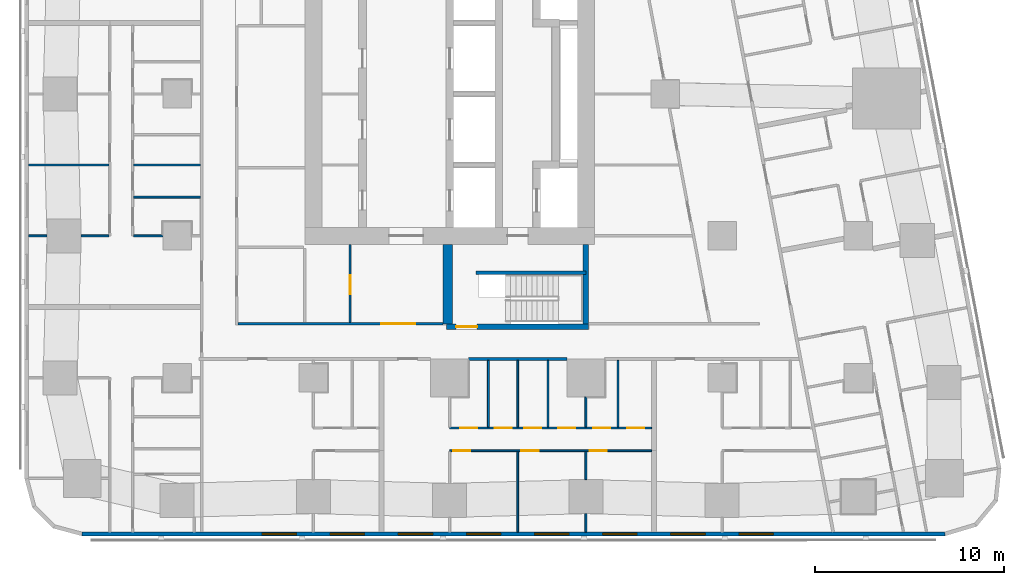
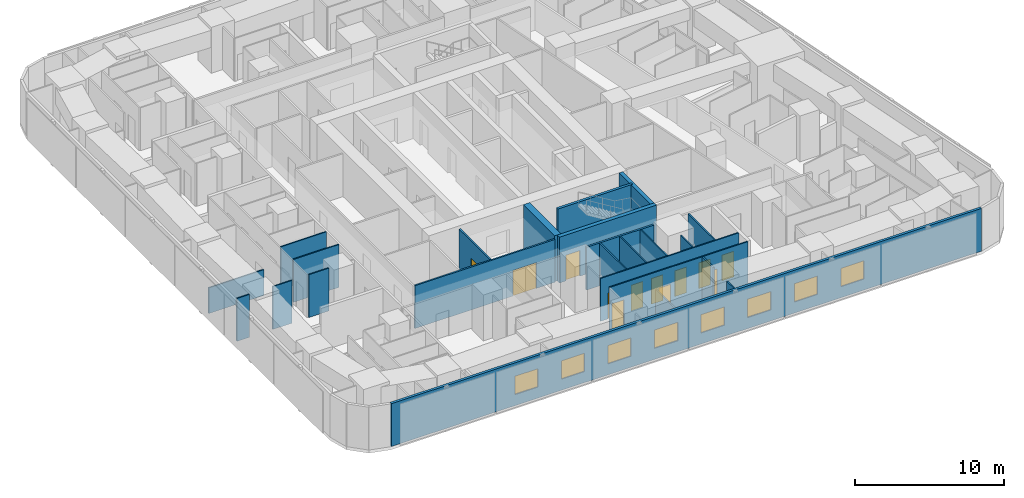
# One storey, part 3 of 14: 24 walls, 12 doors, 8 windows, 20 openings.
"""IFC4 building model written with IfcOpenShell, lengths in metres."""

import ifcopenshell
import ifcopenshell.guid

model = None  # the IFC model being written
_history = None  # IfcOwnerHistory: only IFC2X3 demands one
_inside = {}  # id of a spatial element -> (the spatial element, [elements in it])
_under = {}  # id of a project, library or spatial element -> (it, [spatial elements below it])
_declared = {}  # id of a project -> (the project, [libraries it declares])
_typed = {}  # id of a type object -> (the type object, [elements of that type])
_made_of = {}  # id of a material, layer set ... -> (it, [elements and type objects made of it])


def new_model(schema):
    """Start an empty IFC model of exactly this schema.

    Asked for "IFC4X3", IfcOpenShell would pick the latest addendum, in which some entities
    have other attributes; the version numbers below select the first issue.
    IFC2X3 requires an IfcOwnerHistory on every rooted entity: one is made here for all.
    """
    global model, _history
    if schema == "IFC4X3":
        model = ifcopenshell.file(schema_version=(4, 3, 0, 0))
    else:
        model = ifcopenshell.file(schema=schema)
    _inside.clear()
    _under.clear()
    _declared.clear()
    _typed.clear()
    _made_of.clear()
    _history = None
    if model.schema == "IFC2X3":
        org = make("IfcOrganization", Name="unknown")
        user = make(
            "IfcPersonAndOrganization",
            ThePerson=make("IfcPerson", FamilyName="unknown"),
            TheOrganization=org,
        )
        app = make(
            "IfcApplication",
            ApplicationDeveloper=org,
            Version="unknown",
            ApplicationFullName="unknown",
            ApplicationIdentifier="unknown",
        )
        _history = make(
            "IfcOwnerHistory",
            OwningUser=user,
            OwningApplication=app,
            ChangeAction="ADDED",
            CreationDate=0,
        )
    return model


def make(cls, **values):
    """One entity of the class cls with the attributes given. An attribute that is None is left unset."""
    return model.create_entity(
        cls, **{name: value for name, value in values.items() if value is not None}
    )


def rooted(cls, **values):
    """An entity with a GlobalId (a new one), such as an element, a storey or a relation."""
    return make(cls, GlobalId=ifcopenshell.guid.new(), OwnerHistory=_history, **values)


def si_unit(unit_type, name, prefix=None):
    """IfcSIUnit, for example si_unit("LENGTHUNIT", "METRE", prefix="MILLI")."""
    return make("IfcSIUnit", UnitType=unit_type, Prefix=prefix, Name=name)


def assignment(units):
    """IfcUnitAssignment: the units of a project."""
    return None if units is None else make("IfcUnitAssignment", Units=units)


def point(xyz):
    """IfcCartesianPoint."""
    return None if xyz is None else make("IfcCartesianPoint", Coordinates=xyz)


def direction(xyz):
    """IfcDirection."""
    return None if xyz is None else make("IfcDirection", DirectionRatios=xyz)


def frame(location, z_axis=None, x_axis=None):
    """IfcAxis2Placement3D, a coordinate frame: its origin and axes. An axis left out is left unset."""
    return make(
        "IfcAxis2Placement3D",
        Location=point(location),
        Axis=direction(z_axis),
        RefDirection=direction(x_axis),
    )


def frame_2d(location, x_axis=None):
    """IfcAxis2Placement2D, a coordinate frame in the plane: its origin and x axis."""
    return make(
        "IfcAxis2Placement2D", Location=point(location), RefDirection=direction(x_axis)
    )


def origin():
    """The frame at (0, 0, 0) with its axes left unset."""
    return frame((0.0, 0.0, 0.0))


def place(relative_to, where):
    """IfcLocalPlacement: puts the frame where relative to a parent placement (None: the world)."""
    return make(
        "IfcLocalPlacement", PlacementRelTo=relative_to, RelativePlacement=where
    )


def context(
    kind, dimensions, precision=None, world=None, true_north=None, identifier=None
):
    """IfcGeometricRepresentationContext, for example the 3D "Model" context."""
    return make(
        "IfcGeometricRepresentationContext",
        ContextIdentifier=identifier,
        ContextType=kind,
        CoordinateSpaceDimension=dimensions,
        Precision=precision,
        WorldCoordinateSystem=world,
        TrueNorth=true_north,
    )


def subcontext(parent, identifier, kind, view, scale=None):
    """IfcGeometricRepresentationSubContext, for example "Body" below "Model"."""
    return make(
        "IfcGeometricRepresentationSubContext",
        ContextIdentifier=identifier,
        ContextType=kind,
        ParentContext=parent,
        TargetScale=scale,
        TargetView=view,
    )


def project(units=None, contexts=None):
    """IfcProject with its units and contexts."""
    return rooted(
        "IfcProject",
        Name="project",
        RepresentationContexts=contexts,
        UnitsInContext=assignment(units),
    )


def spatial(cls, under=None, at=None, **own):
    """A site, building, storey or space (cls), placed at a placement, below another one or the project."""
    s = rooted(cls, ObjectPlacement=at, **own)
    if under is not None:
        _under.setdefault(under.id(), (under, []))[1].append(s)
    return s


def profile(cls, at=None, kind="AREA", **sizes):
    """A parametric profile (cls). Its sizes go by their IFC names, for example OverallWidth=200.0."""
    return make(cls, ProfileType=kind, Position=at, **sizes)


def rectangle(**sizes):
    """IfcRectangleProfileDef."""
    return profile("IfcRectangleProfileDef", **sizes)


def extrude(swept, where, along, depth):
    """IfcExtrudedAreaSolid: the profile swept, set in the frame where, extruded along a direction by depth."""
    return make(
        "IfcExtrudedAreaSolid",
        SweptArea=swept,
        Position=where,
        ExtrudedDirection=direction(along),
        Depth=depth,
    )


def shape(context_of_items, identifier, shape_type, items):
    """IfcShapeRepresentation: the items that make up one representation, for example the "Body"."""
    return make(
        "IfcShapeRepresentation",
        ContextOfItems=context_of_items,
        RepresentationIdentifier=identifier,
        RepresentationType=shape_type,
        Items=items,
    )


def material(Name=None, Category=None):
    """IfcMaterial."""
    return make("IfcMaterial", Name=Name, Category=Category)


def layer(
    of_material, thickness, ventilated=None, Name=None, Category=None, Priority=None
):
    """IfcMaterialLayer: one layer of a wall or slab, of a material (None: an air gap)."""
    return make(
        "IfcMaterialLayer",
        Material=of_material,
        LayerThickness=thickness,
        IsVentilated=ventilated,
        Name=Name,
        Category=Category,
        Priority=Priority,
    )


def layer_set(layers, Name=None):
    """IfcMaterialLayerSet."""
    return make("IfcMaterialLayerSet", MaterialLayers=layers, LayerSetName=Name)


def made_of(thing, what):
    """Note that an element or type object is made of a material, layer set ...; save() writes the relation."""
    if what is not None:
        _made_of.setdefault(what.id(), (what, []))[1].append(thing)
    return thing


def type_object(cls, material=None, **own):
    """A type object (cls), such as IfcWallType, which elements share."""
    return made_of(rooted(cls, **own), material)


def element(
    cls,
    number,
    at=None,
    inside=None,
    cuts=None,
    type_object=None,
    material=None,
    context=None,
    identifier="Body",
    shape_type=None,
    held_by="IfcProductDefinitionShape",
    body=None,
    shapes=None,
    **own,
):
    """One element of the class cls, such as IfcWall. Its Tag is "e" and its number.

    at: its placement. inside: the storey or other place that contains it. cuts: it is an
    opening in that element (IfcRelVoidsElement). A single representation is given by context,
    identifier, shape_type and body (its items); several are given by shapes. held_by: the class
    of the entity that holds the representations. save() writes the other relations.
    """
    e = rooted(cls, Tag="e%d" % number, ObjectPlacement=at, **own)
    if body is not None:
        shapes = [shape(context, identifier, shape_type, body)]
    if shapes is not None:
        e.Representation = make(held_by, Representations=shapes)
    if inside is not None:
        _inside.setdefault(inside.id(), (inside, []))[1].append(e)
    if cuts is not None:
        rooted(
            "IfcRelVoidsElement", RelatingBuildingElement=cuts, RelatedOpeningElement=e
        )
    if type_object is not None:
        _typed.setdefault(type_object.id(), (type_object, []))[1].append(e)
    return made_of(e, material)


def fill(opening, filler):
    """IfcRelFillsElement: the door or window that sits in an opening."""
    return rooted(
        "IfcRelFillsElement",
        RelatingOpeningElement=opening,
        RelatedBuildingElement=filler,
    )


def aggregate(whole, parts):
    """IfcRelAggregates: a whole, such as a stair, and the parts it consists of."""
    return rooted("IfcRelAggregates", RelatingObject=whole, RelatedObjects=parts)


def save(model, path):
    """Write the relations noted so far, then the file.

    IfcRelAggregates (storeys below a building ...), IfcRelContainedInSpatialStructure (elements
    in a storey), IfcRelDefinesByType, IfcRelAssociatesMaterial and IfcRelDeclares: one each for
    every whole, place, type object, material and project.
    """
    for whole, parts in _under.values():
        aggregate(whole, parts)
    for where, things in _inside.values():
        rooted(
            "IfcRelContainedInSpatialStructure",
            RelatedElements=things,
            RelatingStructure=where,
        )
    for kind, things in _typed.values():
        rooted("IfcRelDefinesByType", RelatedObjects=things, RelatingType=kind)
    for what, things in _made_of.values():
        rooted("IfcRelAssociatesMaterial", RelatedObjects=things, RelatingMaterial=what)
    for by, libraries in _declared.values():
        rooted("IfcRelDeclares", RelatingContext=by, RelatedDefinitions=libraries)
    model.write(path)


model = new_model("IFC4")

# Units and contexts
model_context = context("Model", 3, precision=1e-05, world=origin(), true_north=direction((0.0, 1.0)))
body_context = subcontext(model_context, "Body", "Model", "MODEL_VIEW")
ifc_project = project(units=[si_unit("LENGTHUNIT", "METRE"), si_unit("AREAUNIT", "SQUARE_METRE"), si_unit("VOLUMEUNIT", "CUBIC_METRE"), si_unit("PLANEANGLEUNIT", "RADIAN"), si_unit("MASSUNIT", "GRAM", prefix="KILO")], contexts=[model_context])

# Site, building, storey
site_placement = place(None, origin())
site = spatial("IfcSite", under=ifc_project, at=site_placement, CompositionType="ELEMENT")
building_placement = place(site_placement, origin())
building = spatial("IfcBuilding", under=site, at=building_placement, Name="Sheger Commons Tower", CompositionType="ELEMENT")
storey_placement = place(building_placement, frame((0.0, 0.0, 135.800048828125)))
storey = spatial("IfcBuildingStorey", under=building, at=storey_placement, Name="L34", CompositionType="ELEMENT", Elevation=135.800048828125)

# Wall
ifc_material_1 = material(Name="Hollow concrete block masonry, skimmed both sides", Category="masonry")
ifc_layer_1 = layer(ifc_material_1, 0.14990234375)
ifc_layer_set_1 = layer_set([ifc_layer_1], Name="CORRIDOR WALL 150")
wall_type_1 = type_object("IfcWallType", Name="CORRIDOR WALL 150", PredefinedType="SOLIDWALL", material=ifc_layer_set_1)
wall_1_placement = place(storey_placement, frame((27.799072265625, 8.5, 0.0), z_axis=(0.0, 0.0, 1.0), x_axis=(-1.0, 0.0, 0.0)))
element("IfcWall", 1, at=wall_1_placement, inside=storey, type_object=wall_type_1, Name="Corridor wall L34", PredefinedType="SOLIDWALL", context=body_context, shape_type="SweptSolid", body=[
    extrude(rectangle(XDim=5.197998046875, YDim=0.14990234375, at=frame_2d((2.59912109375, 0.0))), origin(), (0.0, 0.0, 1.0), 3.5),
])

# Wall, openings, windows
ifc_material_2 = material(Name="Rendered concrete block masonry, dark grey", Category="masonry")
ifc_layer_2 = layer(ifc_material_2, 0.199951171875)
ifc_layer_set_2 = layer_set([ifc_layer_2], Name="FACADE WALL 200")
wall_type_2 = type_object("IfcWallType", Name="FACADE WALL 200", PredefinedType="SOLIDWALL", material=ifc_layer_set_2)
wall_2_placement = place(storey_placement, frame((2.1630859375, -0.75, 0.0), z_axis=(0.0, 0.0, 1.0), x_axis=(1.0, 0.0, 0.0)))
wall_2 = element("IfcWall", 2, at=wall_2_placement, inside=storey, type_object=wall_type_2, Name="Facade wall L34", PredefinedType="SOLIDWALL", context=body_context, shape_type="SweptSolid", body=[
    extrude(rectangle(XDim=45.6279296875, YDim=0.199951171875, at=frame_2d((22.81396484375, 0.0))), origin(), (0.0, 0.0, 1.0), 3.5),
])
opening_1_placement = place(wall_2_placement, frame((9.537109375, 0.0, 0.89990234375)))
opening_1 = element("IfcOpeningElement", 3, at=opening_1_placement, cuts=wall_2, Name="Opening W2", PredefinedType="OPENING", context=body_context, shape_type="SweptSolid", body=[
    extrude(rectangle(XDim=1.800048828125, YDim=1.5, at=frame_2d((0.89990234375, 0.75))), frame((0.0, 0.10986328125, 0.0), z_axis=(0.0, -1.0, 0.0), x_axis=(1.0, 0.0, 0.0)), (0.0, 0.0, 1.0), 0.219970703125),
])
opening_2_placement = place(wall_2_placement, frame((13.136962890625, 0.0, 0.89990234375)))
opening_2 = element("IfcOpeningElement", 4, at=opening_2_placement, cuts=wall_2, Name="Opening W2", PredefinedType="OPENING", context=body_context, shape_type="SweptSolid", body=[
    extrude(rectangle(XDim=1.800048828125, YDim=1.5, at=frame_2d((0.89990234375, 0.75))), frame((0.0, 0.10986328125, 0.0), z_axis=(0.0, -1.0, 0.0), x_axis=(1.0, 0.0, 0.0)), (0.0, 0.0, 1.0), 0.219970703125),
])
opening_3_placement = place(wall_2_placement, frame((16.737060546875, 0.0, 0.89990234375)))
opening_3 = element("IfcOpeningElement", 5, at=opening_3_placement, cuts=wall_2, Name="Opening W2", PredefinedType="OPENING", context=body_context, shape_type="SweptSolid", body=[
    extrude(rectangle(XDim=1.800048828125, YDim=1.5, at=frame_2d((0.89990234375, 0.75))), frame((0.0, 0.10986328125, 0.0), z_axis=(0.0, -1.0, 0.0), x_axis=(1.0, 0.0, 0.0)), (0.0, 0.0, 1.0), 0.219970703125),
])
opening_4_placement = place(wall_2_placement, frame((20.3369140625, 0.0, 0.89990234375)))
opening_4 = element("IfcOpeningElement", 6, at=opening_4_placement, cuts=wall_2, Name="Opening W2", PredefinedType="OPENING", context=body_context, shape_type="SweptSolid", body=[
    extrude(rectangle(XDim=1.800048828125, YDim=1.5, at=frame_2d((0.89990234375, 0.75))), frame((0.0, 0.10986328125, 0.0), z_axis=(0.0, -1.0, 0.0), x_axis=(1.0, 0.0, 0.0)), (0.0, 0.0, 1.0), 0.219970703125),
])
opening_5_placement = place(wall_2_placement, frame((23.93701171875, 0.0, 0.89990234375)))
opening_5 = element("IfcOpeningElement", 7, at=opening_5_placement, cuts=wall_2, Name="Opening W2", PredefinedType="OPENING", context=body_context, shape_type="SweptSolid", body=[
    extrude(rectangle(XDim=1.800048828125, YDim=1.5, at=frame_2d((0.89990234375, 0.75))), frame((0.0, 0.10986328125, 0.0), z_axis=(0.0, -1.0, 0.0), x_axis=(1.0, 0.0, 0.0)), (0.0, 0.0, 1.0), 0.219970703125),
])
opening_6_placement = place(wall_2_placement, frame((27.537109375, 0.0, 0.89990234375)))
opening_6 = element("IfcOpeningElement", 8, at=opening_6_placement, cuts=wall_2, Name="Opening W2", PredefinedType="OPENING", context=body_context, shape_type="SweptSolid", body=[
    extrude(rectangle(XDim=1.800048828125, YDim=1.5, at=frame_2d((0.89990234375, 0.75))), frame((0.0, 0.10986328125, 0.0), z_axis=(0.0, -1.0, 0.0), x_axis=(1.0, 0.0, 0.0)), (0.0, 0.0, 1.0), 0.219970703125),
])
opening_7_placement = place(wall_2_placement, frame((31.136962890625, 0.0, 0.89990234375)))
opening_7 = element("IfcOpeningElement", 9, at=opening_7_placement, cuts=wall_2, Name="Opening W2", PredefinedType="OPENING", context=body_context, shape_type="SweptSolid", body=[
    extrude(rectangle(XDim=1.800048828125, YDim=1.5, at=frame_2d((0.89990234375, 0.75))), frame((0.0, 0.10986328125, 0.0), z_axis=(0.0, -1.0, 0.0), x_axis=(1.0, 0.0, 0.0)), (0.0, 0.0, 1.0), 0.219970703125),
])
opening_8_placement = place(wall_2_placement, frame((34.737060546875, 0.0, 0.89990234375)))
opening_8 = element("IfcOpeningElement", 10, at=opening_8_placement, cuts=wall_2, Name="Opening W2", PredefinedType="OPENING", context=body_context, shape_type="SweptSolid", body=[
    extrude(rectangle(XDim=1.800048828125, YDim=1.5, at=frame_2d((0.89990234375, 0.75))), frame((0.0, 0.10986328125, 0.0), z_axis=(0.0, -1.0, 0.0), x_axis=(1.0, 0.0, 0.0)), (0.0, 0.0, 1.0), 0.219970703125),
])
ifc_material_3 = material(Name="Black aluminium frame, dark tinted double glazing", Category="aluminium")
window_type = type_object("IfcWindowType", Name="WINDOW W2 1800x1500", PartitioningType="SINGLE_PANEL", PredefinedType="WINDOW", material=ifc_material_3)
window_1_placement = place(opening_1_placement, origin())
window_1 = element("IfcWindow", 11, at=window_1_placement, inside=storey, type_object=window_type, Name="Window W2 1800X1500", OverallHeight=1.5, OverallWidth=1.800048828125, PartitioningType="SINGLE_PANEL", PredefinedType="WINDOW", context=body_context, shape_type="SweptSolid", body=[
    extrude(rectangle(XDim=1.800048828125, YDim=1.5, at=frame_2d((0.89990234375, 0.75))), frame((0.0, 0.030029296875, 0.0), z_axis=(0.0, -1.0, 0.0), x_axis=(1.0, 0.0, 0.0)), (0.0, 0.0, 1.0), 0.06005859375),
])
fill(opening_1, window_1)
window_2_placement = place(opening_2_placement, origin())
window_2 = element("IfcWindow", 12, at=window_2_placement, inside=storey, type_object=window_type, Name="Window W2 1800X1500", OverallHeight=1.5, OverallWidth=1.800048828125, PartitioningType="SINGLE_PANEL", PredefinedType="WINDOW", context=body_context, shape_type="SweptSolid", body=[
    extrude(rectangle(XDim=1.800048828125, YDim=1.5, at=frame_2d((0.89990234375, 0.75))), frame((0.0, 0.030029296875, 0.0), z_axis=(0.0, -1.0, 0.0), x_axis=(1.0, 0.0, 0.0)), (0.0, 0.0, 1.0), 0.06005859375),
])
fill(opening_2, window_2)
window_3_placement = place(opening_3_placement, origin())
window_3 = element("IfcWindow", 13, at=window_3_placement, inside=storey, type_object=window_type, Name="Window W2 1800X1500", OverallHeight=1.5, OverallWidth=1.800048828125, PartitioningType="SINGLE_PANEL", PredefinedType="WINDOW", context=body_context, shape_type="SweptSolid", body=[
    extrude(rectangle(XDim=1.800048828125, YDim=1.5, at=frame_2d((0.89990234375, 0.75))), frame((0.0, 0.030029296875, 0.0), z_axis=(0.0, -1.0, 0.0), x_axis=(1.0, 0.0, 0.0)), (0.0, 0.0, 1.0), 0.06005859375),
])
fill(opening_3, window_3)
window_4_placement = place(opening_4_placement, origin())
window_4 = element("IfcWindow", 14, at=window_4_placement, inside=storey, type_object=window_type, Name="Window W2 1800X1500", OverallHeight=1.5, OverallWidth=1.800048828125, PartitioningType="SINGLE_PANEL", PredefinedType="WINDOW", context=body_context, shape_type="SweptSolid", body=[
    extrude(rectangle(XDim=1.800048828125, YDim=1.5, at=frame_2d((0.89990234375, 0.75))), frame((0.0, 0.030029296875, 0.0), z_axis=(0.0, -1.0, 0.0), x_axis=(1.0, 0.0, 0.0)), (0.0, 0.0, 1.0), 0.06005859375),
])
fill(opening_4, window_4)
window_5_placement = place(opening_5_placement, origin())
window_5 = element("IfcWindow", 15, at=window_5_placement, inside=storey, type_object=window_type, Name="Window W2 1800X1500", OverallHeight=1.5, OverallWidth=1.800048828125, PartitioningType="SINGLE_PANEL", PredefinedType="WINDOW", context=body_context, shape_type="SweptSolid", body=[
    extrude(rectangle(XDim=1.800048828125, YDim=1.5, at=frame_2d((0.89990234375, 0.75))), frame((0.0, 0.030029296875, 0.0), z_axis=(0.0, -1.0, 0.0), x_axis=(1.0, 0.0, 0.0)), (0.0, 0.0, 1.0), 0.06005859375),
])
fill(opening_5, window_5)
window_6_placement = place(opening_6_placement, origin())
window_6 = element("IfcWindow", 16, at=window_6_placement, inside=storey, type_object=window_type, Name="Window W2 1800X1500", OverallHeight=1.5, OverallWidth=1.800048828125, PartitioningType="SINGLE_PANEL", PredefinedType="WINDOW", context=body_context, shape_type="SweptSolid", body=[
    extrude(rectangle(XDim=1.800048828125, YDim=1.5, at=frame_2d((0.89990234375, 0.75))), frame((0.0, 0.030029296875, 0.0), z_axis=(0.0, -1.0, 0.0), x_axis=(1.0, 0.0, 0.0)), (0.0, 0.0, 1.0), 0.06005859375),
])
fill(opening_6, window_6)
window_7_placement = place(opening_7_placement, origin())
window_7 = element("IfcWindow", 17, at=window_7_placement, inside=storey, type_object=window_type, Name="Window W2 1800X1500", OverallHeight=1.5, OverallWidth=1.800048828125, PartitioningType="SINGLE_PANEL", PredefinedType="WINDOW", context=body_context, shape_type="SweptSolid", body=[
    extrude(rectangle(XDim=1.800048828125, YDim=1.5, at=frame_2d((0.89990234375, 0.75))), frame((0.0, 0.030029296875, 0.0), z_axis=(0.0, -1.0, 0.0), x_axis=(1.0, 0.0, 0.0)), (0.0, 0.0, 1.0), 0.06005859375),
])
fill(opening_7, window_7)
window_8_placement = place(opening_8_placement, origin())
window_8 = element("IfcWindow", 18, at=window_8_placement, inside=storey, type_object=window_type, Name="Window W2 1800X1500", OverallHeight=1.5, OverallWidth=1.800048828125, PartitioningType="SINGLE_PANEL", PredefinedType="WINDOW", context=body_context, shape_type="SweptSolid", body=[
    extrude(rectangle(XDim=1.800048828125, YDim=1.5, at=frame_2d((0.89990234375, 0.75))), frame((0.0, 0.030029296875, 0.0), z_axis=(0.0, -1.0, 0.0), x_axis=(1.0, 0.0, 0.0)), (0.0, 0.0, 1.0), 0.06005859375),
])
fill(opening_8, window_8)

# Walls
ifc_material_4 = material(Name="Gypsum board on steel studs", Category="steel")
ifc_layer_3 = layer(ifc_material_4, 0.10009765625)
ifc_layer_set_3 = layer_set([ifc_layer_3], Name="PARTITION 100")
wall_type_3 = type_object("IfcWallType", Name="PARTITION 100", PredefinedType="PARTITIONING", material=ifc_layer_set_3)
wall_3_placement = place(storey_placement, frame((-0.64990234375, 15.0, 0.0), z_axis=(0.0, 0.0, 1.0), x_axis=(1.0, 0.0, 0.0)))
element("IfcWall", 19, at=wall_3_placement, inside=storey, type_object=wall_type_3, Name="Partition L34", PredefinedType="PARTITIONING", context=body_context, shape_type="SweptSolid", body=[
    extrude(rectangle(XDim=0.973876953125, YDim=0.10009765625, at=frame_2d((0.48681640625, 0.0))), origin(), (0.0, 0.0, 1.0), 3.5),
])
wall_4_placement = place(storey_placement, frame((2.1259765625, 15.0, 0.0), z_axis=(0.0, 0.0, 1.0), x_axis=(1.0, 0.0, 0.0)))
element("IfcWall", 20, at=wall_4_placement, inside=storey, type_object=wall_type_3, Name="Partition L34", PredefinedType="PARTITIONING", context=body_context, shape_type="SweptSolid", body=[
    extrude(rectangle(XDim=1.47412109375, YDim=0.10009765625, at=frame_2d((0.737060546875, 0.0))), origin(), (0.0, 0.0, 1.0), 3.5),
])
wall_5_placement = place(storey_placement, frame((-0.64990234375, 18.75, 0.0), z_axis=(0.0, 0.0, 1.0), x_axis=(1.0, 0.0, 0.0)))
element("IfcWall", 21, at=wall_5_placement, inside=storey, type_object=wall_type_3, Name="Partition L34", PredefinedType="PARTITIONING", context=body_context, shape_type="SweptSolid", body=[
    extrude(rectangle(XDim=4.25, YDim=0.10009765625, at=frame_2d((2.125, 0.0))), origin(), (0.0, 0.0, 1.0), 2.099853515625),
])
wall_6_placement = place(storey_placement, frame((4.89990234375, 15.0, 0.0), z_axis=(0.0, 0.0, 1.0), x_axis=(1.0, 0.0, 0.0)))
element("IfcWall", 22, at=wall_6_placement, inside=storey, type_object=wall_type_3, Name="Partition L34", PredefinedType="PARTITIONING", context=body_context, shape_type="SweptSolid", body=[
    extrude(rectangle(XDim=1.549072265625, YDim=0.10009765625, at=frame_2d((0.7744140625, 0.0))), origin(), (0.0, 0.0, 1.0), 3.5),
])
for number, where, z_axis, x_axis, name in (
    (23, (4.89990234375, 18.75, 0.0), (0.0, 0.0, 1.0), (1.0, 0.0, 0.0), "Partition L34"),
    (24, (4.89990234375, 17.050048828125, 0.0), (0.0, 0.0, 1.0), (1.0, 0.0, 0.0), "Partition L34"),
):
    element("IfcWall", number, at=place(storey_placement, frame(where, z_axis=z_axis, x_axis=x_axis)), inside=storey, type_object=wall_type_3, Name=name, PredefinedType="PARTITIONING", context=body_context, shape_type="SweptSolid", body=[
        extrude(rectangle(XDim=3.525146484375, YDim=0.10009765625, at=frame_2d((1.7626953125, 0.0))), origin(), (0.0, 0.0, 1.0), 3.5),
    ])

# Wall, openings, doors
wall_7_placement = place(storey_placement, frame((32.27490234375, 3.64990234375, 0.0), z_axis=(0.0, 0.0, 1.0), x_axis=(-1.0, 0.0, 0.0)))
wall_7 = element("IfcWall", 25, at=wall_7_placement, inside=storey, type_object=wall_type_3, Name="Partition L34", PredefinedType="PARTITIONING", context=body_context, shape_type="SweptSolid", body=[
    extrude(rectangle(XDim=10.6748046875, YDim=0.10009765625, at=frame_2d((5.33740234375, 0.0))), origin(), (0.0, 0.0, 1.0), 3.5),
])
opening_9_placement = place(wall_7_placement, frame((9.574951171875, 0.0, 0.0)))
opening_9 = element("IfcOpeningElement", 26, at=opening_9_placement, cuts=wall_7, Name="Opening D2", PredefinedType="OPENING", context=body_context, shape_type="SweptSolid", body=[
    extrude(rectangle(XDim=0.89990234375, YDim=2.10009765625, at=frame_2d((0.449951171875, 1.050048828125))), frame((0.0, 0.06005859375, 0.0), z_axis=(0.0, -1.0, 0.0), x_axis=(1.0, 0.0, 0.0)), (0.0, 0.0, 1.0), 0.1201171875),
])
opening_10_placement = place(wall_7_placement, frame((5.97509765625, 0.0, 0.0)))
opening_10 = element("IfcOpeningElement", 27, at=opening_10_placement, cuts=wall_7, Name="Opening D2", PredefinedType="OPENING", context=body_context, shape_type="SweptSolid", body=[
    extrude(rectangle(XDim=0.89990234375, YDim=2.10009765625, at=frame_2d((0.449951171875, 1.050048828125))), frame((0.0, 0.06005859375, 0.0), z_axis=(0.0, -1.0, 0.0), x_axis=(1.0, 0.0, 0.0)), (0.0, 0.0, 1.0), 0.1201171875),
])
opening_11_placement = place(wall_7_placement, frame((2.375, 0.0, 0.0)))
opening_11 = element("IfcOpeningElement", 28, at=opening_11_placement, cuts=wall_7, Name="Opening D2", PredefinedType="OPENING", context=body_context, shape_type="SweptSolid", body=[
    extrude(rectangle(XDim=0.89990234375, YDim=2.10009765625, at=frame_2d((0.449951171875, 1.050048828125))), frame((0.0, 0.06005859375, 0.0), z_axis=(0.0, -1.0, 0.0), x_axis=(1.0, 0.0, 0.0)), (0.0, 0.0, 1.0), 0.1201171875),
])
ifc_material_5 = material(Name="Timber door set", Category="wood")
door_type_1 = type_object("IfcDoorType", Name="INTERNAL DOOR 900x2100", OperationType="NOTDEFINED", PredefinedType="DOOR", material=ifc_material_5)
door_1_placement = place(opening_9_placement, origin())
door_1 = element("IfcDoor", 29, at=door_1_placement, inside=storey, type_object=door_type_1, Name="Main bedroom door", OperationType="SINGLE_SWING_RIGHT", OverallHeight=2.10009765625, OverallWidth=0.89990234375, PredefinedType="DOOR", context=body_context, shape_type="SweptSolid", body=[
    extrude(rectangle(XDim=0.89990234375, YDim=2.10009765625, at=frame_2d((0.449951171875, 1.050048828125))), frame((0.0, 0.02490234375, 0.0), z_axis=(0.0, -1.0, 0.0), x_axis=(1.0, 0.0, 0.0)), (0.0, 0.0, 1.0), 0.050048828125),
])
fill(opening_9, door_1)
door_2_placement = place(opening_10_placement, origin())
door_2 = element("IfcDoor", 30, at=door_2_placement, inside=storey, type_object=door_type_1, Name="Bedroom 2 door", OperationType="SINGLE_SWING_RIGHT", OverallHeight=2.10009765625, OverallWidth=0.89990234375, PredefinedType="DOOR", context=body_context, shape_type="SweptSolid", body=[
    extrude(rectangle(XDim=0.89990234375, YDim=2.10009765625, at=frame_2d((0.449951171875, 1.050048828125))), frame((0.0, 0.02490234375, 0.0), z_axis=(0.0, -1.0, 0.0), x_axis=(1.0, 0.0, 0.0)), (0.0, 0.0, 1.0), 0.050048828125),
])
fill(opening_10, door_2)
door_3_placement = place(opening_11_placement, origin())
door_3 = element("IfcDoor", 31, at=door_3_placement, inside=storey, type_object=door_type_1, Name="Bedroom 3 door", OperationType="SINGLE_SWING_RIGHT", OverallHeight=2.10009765625, OverallWidth=0.89990234375, PredefinedType="DOOR", context=body_context, shape_type="SweptSolid", body=[
    extrude(rectangle(XDim=0.89990234375, YDim=2.10009765625, at=frame_2d((0.449951171875, 1.050048828125))), frame((0.0, 0.02490234375, 0.0), z_axis=(0.0, -1.0, 0.0), x_axis=(1.0, 0.0, 0.0)), (0.0, 0.0, 1.0), 0.050048828125),
])
fill(opening_11, door_3)

wall_8_placement = place(storey_placement, frame((32.27490234375, 4.85009765625, 0.0), z_axis=(0.0, 0.0, 1.0), x_axis=(-1.0, 0.0, 0.0)))
wall_8 = element("IfcWall", 32, at=wall_8_placement, inside=storey, type_object=wall_type_3, Name="Partition L34", PredefinedType="PARTITIONING", context=body_context, shape_type="SweptSolid", body=[
    extrude(rectangle(XDim=10.6748046875, YDim=0.10009765625, at=frame_2d((5.33740234375, 0.0))), origin(), (0.0, 0.0, 1.0), 3.5),
])
opening_12_placement = place(wall_8_placement, frame((9.199951171875, 0.0, 0.0)))
opening_12 = element("IfcOpeningElement", 33, at=opening_12_placement, cuts=wall_8, Name="Opening D2", PredefinedType="OPENING", context=body_context, shape_type="SweptSolid", body=[
    extrude(rectangle(XDim=0.89990234375, YDim=2.10009765625, at=frame_2d((0.449951171875, 1.050048828125))), frame((0.0, 0.06005859375, 0.0), z_axis=(0.0, -1.0, 0.0), x_axis=(1.0, 0.0, 0.0)), (0.0, 0.0, 1.0), 0.1201171875),
])
opening_13_placement = place(wall_8_placement, frame((5.824951171875, 0.0, 0.0)))
opening_13 = element("IfcOpeningElement", 34, at=opening_13_placement, cuts=wall_8, Name="Opening D2", PredefinedType="OPENING", context=body_context, shape_type="SweptSolid", body=[
    extrude(rectangle(XDim=0.89990234375, YDim=2.10009765625, at=frame_2d((0.449951171875, 1.050048828125))), frame((0.0, 0.06005859375, 0.0), z_axis=(0.0, -1.0, 0.0), x_axis=(1.0, 0.0, 0.0)), (0.0, 0.0, 1.0), 0.1201171875),
])
opening_14_placement = place(wall_8_placement, frame((2.175048828125, 0.0, 0.0)))
opening_14 = element("IfcOpeningElement", 35, at=opening_14_placement, cuts=wall_8, Name="Opening D2", PredefinedType="OPENING", context=body_context, shape_type="SweptSolid", body=[
    extrude(rectangle(XDim=0.89990234375, YDim=2.10009765625, at=frame_2d((0.449951171875, 1.050048828125))), frame((0.0, 0.06005859375, 0.0), z_axis=(0.0, -1.0, 0.0), x_axis=(1.0, 0.0, 0.0)), (0.0, 0.0, 1.0), 0.1201171875),
])
opening_15_placement = place(wall_8_placement, frame((7.39990234375, 0.0, 0.0)))
opening_15 = element("IfcOpeningElement", 36, at=opening_15_placement, cuts=wall_8, Name="Opening D2", PredefinedType="OPENING", context=body_context, shape_type="SweptSolid", body=[
    extrude(rectangle(XDim=0.89990234375, YDim=2.10009765625, at=frame_2d((0.449951171875, 1.050048828125))), frame((0.0, 0.06005859375, 0.0), z_axis=(0.0, -1.0, 0.0), x_axis=(1.0, 0.0, 0.0)), (0.0, 0.0, 1.0), 0.1201171875),
])
opening_16_placement = place(wall_8_placement, frame((4.02490234375, 0.0, 0.0)))
opening_16 = element("IfcOpeningElement", 37, at=opening_16_placement, cuts=wall_8, Name="Opening D2", PredefinedType="OPENING", context=body_context, shape_type="SweptSolid", body=[
    extrude(rectangle(XDim=0.89990234375, YDim=2.10009765625, at=frame_2d((0.449951171875, 1.050048828125))), frame((0.0, 0.06005859375, 0.0), z_axis=(0.0, -1.0, 0.0), x_axis=(1.0, 0.0, 0.0)), (0.0, 0.0, 1.0), 0.1201171875),
])
opening_17_placement = place(wall_8_placement, frame((0.375, 0.0, 0.0)))
opening_17 = element("IfcOpeningElement", 38, at=opening_17_placement, cuts=wall_8, Name="Opening D2", PredefinedType="OPENING", context=body_context, shape_type="SweptSolid", body=[
    extrude(rectangle(XDim=0.89990234375, YDim=2.10009765625, at=frame_2d((0.449951171875, 1.050048828125))), frame((0.0, 0.06005859375, 0.0), z_axis=(0.0, -1.0, 0.0), x_axis=(1.0, 0.0, 0.0)), (0.0, 0.0, 1.0), 0.1201171875),
])
door_4_placement = place(opening_12_placement, origin())
door_4 = element("IfcDoor", 39, at=door_4_placement, inside=storey, type_object=door_type_1, Name="Bathroom door", OperationType="SINGLE_SWING_LEFT", OverallHeight=2.10009765625, OverallWidth=0.89990234375, PredefinedType="DOOR", context=body_context, shape_type="SweptSolid", body=[
    extrude(rectangle(XDim=0.89990234375, YDim=2.10009765625, at=frame_2d((0.449951171875, 1.050048828125))), frame((0.0, 0.02490234375, 0.0), z_axis=(0.0, -1.0, 0.0), x_axis=(1.0, 0.0, 0.0)), (0.0, 0.0, 1.0), 0.050048828125),
])
fill(opening_12, door_4)
door_5_placement = place(opening_13_placement, origin())
door_5 = element("IfcDoor", 40, at=door_5_placement, inside=storey, type_object=door_type_1, Name="Shower room door", OperationType="SINGLE_SWING_RIGHT", OverallHeight=2.10009765625, OverallWidth=0.89990234375, PredefinedType="DOOR", context=body_context, shape_type="SweptSolid", body=[
    extrude(rectangle(XDim=0.89990234375, YDim=2.10009765625, at=frame_2d((0.449951171875, 1.050048828125))), frame((0.0, 0.02490234375, 0.0), z_axis=(0.0, -1.0, 0.0), x_axis=(1.0, 0.0, 0.0)), (0.0, 0.0, 1.0), 0.050048828125),
])
fill(opening_13, door_5)
door_6_placement = place(opening_14_placement, origin())
door_6 = element("IfcDoor", 41, at=door_6_placement, inside=storey, type_object=door_type_1, Name="Laundry room door", OperationType="SINGLE_SWING_RIGHT", OverallHeight=2.10009765625, OverallWidth=0.89990234375, PredefinedType="DOOR", context=body_context, shape_type="SweptSolid", body=[
    extrude(rectangle(XDim=0.89990234375, YDim=2.10009765625, at=frame_2d((0.449951171875, 1.050048828125))), frame((0.0, 0.02490234375, 0.0), z_axis=(0.0, -1.0, 0.0), x_axis=(1.0, 0.0, 0.0)), (0.0, 0.0, 1.0), 0.050048828125),
])
fill(opening_14, door_6)
door_7_placement = place(opening_15_placement, origin())
door_7 = element("IfcDoor", 42, at=door_7_placement, inside=storey, type_object=door_type_1, Name="Store door", OperationType="SINGLE_SWING_LEFT", OverallHeight=2.10009765625, OverallWidth=0.89990234375, PredefinedType="DOOR", context=body_context, shape_type="SweptSolid", body=[
    extrude(rectangle(XDim=0.89990234375, YDim=2.10009765625, at=frame_2d((0.449951171875, 1.050048828125))), frame((0.0, 0.02490234375, 0.0), z_axis=(0.0, -1.0, 0.0), x_axis=(1.0, 0.0, 0.0)), (0.0, 0.0, 1.0), 0.050048828125),
])
fill(opening_15, door_7)
door_8_placement = place(opening_16_placement, origin())
door_8 = element("IfcDoor", 43, at=door_8_placement, inside=storey, type_object=door_type_1, Name="Store door", OperationType="SINGLE_SWING_LEFT", OverallHeight=2.10009765625, OverallWidth=0.89990234375, PredefinedType="DOOR", context=body_context, shape_type="SweptSolid", body=[
    extrude(rectangle(XDim=0.89990234375, YDim=2.10009765625, at=frame_2d((0.449951171875, 1.050048828125))), frame((0.0, 0.02490234375, 0.0), z_axis=(0.0, -1.0, 0.0), x_axis=(1.0, 0.0, 0.0)), (0.0, 0.0, 1.0), 0.050048828125),
])
fill(opening_16, door_8)
door_9_placement = place(opening_17_placement, origin())
door_9 = element("IfcDoor", 44, at=door_9_placement, inside=storey, type_object=door_type_1, Name="Store door", OperationType="SINGLE_SWING_RIGHT", OverallHeight=2.10009765625, OverallWidth=0.89990234375, PredefinedType="DOOR", context=body_context, shape_type="SweptSolid", body=[
    extrude(rectangle(XDim=0.89990234375, YDim=2.10009765625, at=frame_2d((0.449951171875, 1.050048828125))), frame((0.0, 0.02490234375, 0.0), z_axis=(0.0, -1.0, 0.0), x_axis=(1.0, 0.0, 0.0)), (0.0, 0.0, 1.0), 0.050048828125),
])
fill(opening_17, door_9)

# Walls
wall_9_placement = place(storey_placement, frame((25.199951171875, -0.64990234375, 0.0), z_axis=(0.0, 0.0, 1.0), x_axis=(0.0, 1.0, 0.0)))
element("IfcWall", 45, at=wall_9_placement, inside=storey, type_object=wall_type_3, Name="Partition L34", PredefinedType="PARTITIONING", context=body_context, shape_type="SweptSolid", body=[
    extrude(rectangle(XDim=4.25, YDim=0.10009765625, at=frame_2d((2.125, 0.0))), origin(), (0.0, 0.0, 1.0), 2.099853515625),
])
wall_10_placement = place(storey_placement, frame((28.800048828125, -0.64990234375, 0.0), z_axis=(0.0, 0.0, 1.0), x_axis=(0.0, 1.0, 0.0)))
element("IfcWall", 46, at=wall_10_placement, inside=storey, type_object=wall_type_3, Name="Partition L34", PredefinedType="PARTITIONING", context=body_context, shape_type="SweptSolid", body=[
    extrude(rectangle(XDim=0.973876953125, YDim=0.10009765625, at=frame_2d((0.48681640625, 0.0))), origin(), (0.0, 0.0, 1.0), 3.5),
])
wall_11_placement = place(storey_placement, frame((28.800048828125, 2.1259765625, 0.0), z_axis=(0.0, 0.0, 1.0), x_axis=(0.0, 1.0, 0.0)))
element("IfcWall", 47, at=wall_11_placement, inside=storey, type_object=wall_type_3, Name="Partition L34", PredefinedType="PARTITIONING", context=body_context, shape_type="SweptSolid", body=[
    extrude(rectangle(XDim=1.47412109375, YDim=0.10009765625, at=frame_2d((0.737060546875, 0.0))), origin(), (0.0, 0.0, 1.0), 3.5),
])
wall_12_placement = place(storey_placement, frame((25.199951171875, 4.89990234375, 0.0), z_axis=(0.0, 0.0, 1.0), x_axis=(0.0, 1.0, 0.0)))
element("IfcWall", 48, at=wall_12_placement, inside=storey, type_object=wall_type_3, Name="Partition L34", PredefinedType="PARTITIONING", context=body_context, shape_type="SweptSolid", body=[
    extrude(rectangle(XDim=3.525146484375, YDim=0.10009765625, at=frame_2d((1.7626953125, 0.0))), origin(), (0.0, 0.0, 1.0), 3.5),
])
wall_13_placement = place(storey_placement, frame((28.800048828125, 4.89990234375, 0.0), z_axis=(0.0, 0.0, 1.0), x_axis=(0.0, 1.0, 0.0)))
element("IfcWall", 49, at=wall_13_placement, inside=storey, type_object=wall_type_3, Name="Partition L34", PredefinedType="PARTITIONING", context=body_context, shape_type="SweptSolid", body=[
    extrude(rectangle(XDim=1.59912109375, YDim=0.10009765625, at=frame_2d((0.799560546875, 0.0))), origin(), (0.0, 0.0, 1.0), 3.5),
])
for number, where, z_axis, x_axis, name in (
    (50, (23.64990234375, 4.89990234375, 0.0), (0.0, 0.0, 1.0), (0.0, 1.0, 0.0), "Partition L34"),
    (51, (26.800048828125, 4.89990234375, 0.0), (0.0, 0.0, 1.0), (0.0, 1.0, 0.0), "Partition L34"),
    (52, (30.5, 4.89990234375, 0.0), (0.0, 0.0, 1.0), (0.0, 1.0, 0.0), "Partition L34"),
):
    element("IfcWall", number, at=place(storey_placement, frame(where, z_axis=z_axis, x_axis=x_axis)), inside=storey, type_object=wall_type_3, Name=name, PredefinedType="PARTITIONING", context=body_context, shape_type="SweptSolid", body=[
        extrude(rectangle(XDim=3.525146484375, YDim=0.10009765625, at=frame_2d((1.7626953125, 0.0))), origin(), (0.0, 0.0, 1.0), 3.5),
    ])

# Wall, opening, door
ifc_material_6 = material(Name="Gypsum board on steel studs, two layers each side, fire rated", Category="steel")
ifc_layer_4 = layer(ifc_material_6, 0.125)
ifc_layer_set_4 = layer_set([ifc_layer_4], Name="SERVICE WALL 125")
wall_type_4 = type_object("IfcWallType", Name="SERVICE WALL 125", PredefinedType="PARTITIONING", material=ifc_layer_set_4)
wall_14_placement = place(storey_placement, frame((10.4130859375, 10.35009765625, 0.0), z_axis=(0.0, 0.0, 1.0), x_axis=(1.0, 0.0, 0.0)))
wall_14 = element("IfcWall", 53, at=wall_14_placement, inside=storey, type_object=wall_type_4, Name="Service room wall L34", PredefinedType="PARTITIONING", context=body_context, shape_type="SweptSolid", body=[
    extrude(rectangle(XDim=10.8369140625, YDim=0.125, at=frame_2d((5.41845703125, 0.0))), origin(), (0.0, 0.0, 1.0), 3.5),
])
opening_18_placement = place(wall_14_placement, frame((7.58203125, 0.0, 0.0)))
opening_18 = element("IfcOpeningElement", 54, at=opening_18_placement, cuts=wall_14, Name="Opening D6", PredefinedType="OPENING", context=body_context, shape_type="SweptSolid", body=[
    extrude(rectangle(XDim=1.800048828125, YDim=2.10009765625, at=frame_2d((0.89990234375, 1.050048828125))), frame((0.0, 0.072509765625, 0.0), z_axis=(0.0, -1.0, 0.0), x_axis=(1.0, 0.0, 0.0)), (0.0, 0.0, 1.0), 0.14501953125),
])
ifc_material_7 = material(Name="Steel door set, fire rated", Category="steel")
door_type_2 = type_object("IfcDoorType", Name="LOBBY DOUBLE DOOR 1800x2100", OperationType="DOUBLE_DOOR_SINGLE_SWING", PredefinedType="DOOR", material=ifc_material_7)
door_10_placement = place(opening_18_placement, origin())
door_10 = element("IfcDoor", 55, at=door_10_placement, inside=storey, type_object=door_type_2, Name="Lift lobby south door", OperationType="DOUBLE_DOOR_SINGLE_SWING", OverallHeight=2.10009765625, OverallWidth=1.800048828125, PredefinedType="DOOR", context=body_context, shape_type="SweptSolid", body=[
    extrude(rectangle(XDim=1.800048828125, YDim=2.10009765625, at=frame_2d((0.89990234375, 1.050048828125))), frame((0.0, 0.02490234375, 0.0), z_axis=(0.0, -1.0, 0.0), x_axis=(1.0, 0.0, 0.0)), (0.0, 0.0, 1.0), 0.050048828125),
])
fill(opening_18, door_10)

wall_15_placement = place(storey_placement, frame((16.340087890625, 10.4130859375, 0.0), z_axis=(0.0, 0.0, 1.0), x_axis=(0.0, 1.0, 0.0)))
wall_15 = element("IfcWall", 56, at=wall_15_placement, inside=storey, type_object=wall_type_4, Name="Service room wall L34", PredefinedType="PARTITIONING", context=body_context, shape_type="SweptSolid", body=[
    extrude(rectangle(XDim=4.136962890625, YDim=0.125, at=frame_2d((2.068359375, 0.0))), origin(), (0.0, 0.0, 1.0), 3.5),
])
opening_19_placement = place(wall_15_placement, frame((1.511962890625, 0.0, 0.0)))
opening_19 = element("IfcOpeningElement", 57, at=opening_19_placement, cuts=wall_15, Name="Opening D4", PredefinedType="OPENING", context=body_context, shape_type="SweptSolid", body=[
    extrude(rectangle(XDim=1.0, YDim=2.10009765625, at=frame_2d((0.5, 1.050048828125))), frame((0.0, 0.072509765625, 0.0), z_axis=(0.0, -1.0, 0.0), x_axis=(1.0, 0.0, 0.0)), (0.0, 0.0, 1.0), 0.14501953125),
])
ifc_material_8 = material(Name="Steel door set, fire rated", Category="steel")
door_type_3 = type_object("IfcDoorType", Name="SERVICE DOOR 1000x2100", OperationType="NOTDEFINED", PredefinedType="DOOR", material=ifc_material_8)
door_11_placement = place(opening_19_placement, origin())
door_11 = element("IfcDoor", 58, at=door_11_placement, inside=storey, type_object=door_type_3, Name="Electrical room door", OperationType="SINGLE_SWING_LEFT", OverallHeight=2.10009765625, OverallWidth=1.0, PredefinedType="DOOR", context=body_context, shape_type="SweptSolid", body=[
    extrude(rectangle(XDim=1.0, YDim=2.10009765625, at=frame_2d((0.5, 1.050048828125))), frame((0.0, 0.02490234375, 0.0), z_axis=(0.0, -1.0, 0.0), x_axis=(1.0, 0.0, 0.0)), (0.0, 0.0, 1.0), 0.050048828125),
])
fill(opening_19, door_11)

ifc_material_9 = material(Name="Concrete C50/60", Category="concrete")
ifc_layer_5 = layer(ifc_material_9, 0.300048828125)
ifc_layer_set_5 = layer_set([ifc_layer_5], Name="STAIR CORE WALL 300")
wall_type_5 = type_object("IfcWallType", Name="STAIR CORE WALL 300", PredefinedType="SHEAR", material=ifc_layer_set_5)
wall_16_placement = place(storey_placement, frame((21.449951171875, 10.199951171875, 0.0), z_axis=(0.0, 0.0, 1.0), x_axis=(1.0, 0.0, 0.0)))
wall_16 = element("IfcWall", 59, at=wall_16_placement, inside=storey, type_object=wall_type_5, Name="STW-L34-S1S", PredefinedType="SHEAR", context=body_context, shape_type="SweptSolid", body=[
    extrude(rectangle(XDim=7.5, YDim=0.300048828125, at=frame_2d((3.75, 0.0))), origin(), (0.0, 0.0, 1.0), 3.75),
])
opening_20_placement = place(wall_16_placement, frame((0.5, 0.0, 0.0)))
opening_20 = element("IfcOpeningElement", 60, at=opening_20_placement, cuts=wall_16, Name="Opening D5", PredefinedType="OPENING", context=body_context, shape_type="SweptSolid", body=[
    extrude(rectangle(XDim=1.10009765625, YDim=2.10009765625, at=frame_2d((0.550048828125, 1.050048828125))), frame((0.0, 0.159912109375, 0.0), z_axis=(0.0, -1.0, 0.0), x_axis=(1.0, 0.0, 0.0)), (0.0, 0.0, 1.0), 0.320068359375),
])
ifc_material_10 = material(Name="Steel door set, fire rated", Category="steel")
door_type_4 = type_object("IfcDoorType", Name="STAIR DOOR 1100x2100", OperationType="NOTDEFINED", PredefinedType="DOOR", material=ifc_material_10)
door_12_placement = place(opening_20_placement, origin())
door_12 = element("IfcDoor", 61, at=door_12_placement, inside=storey, type_object=door_type_4, Name="Stair S1 door", OperationType="SINGLE_SWING_LEFT", OverallHeight=2.10009765625, OverallWidth=1.10009765625, PredefinedType="DOOR", context=body_context, shape_type="SweptSolid", body=[
    extrude(rectangle(XDim=1.10009765625, YDim=2.10009765625, at=frame_2d((0.550048828125, 1.050048828125))), frame((0.0, 0.02490234375, 0.0), z_axis=(0.0, -1.0, 0.0), x_axis=(1.0, 0.0, 0.0)), (0.0, 0.0, 1.0), 0.050048828125),
])
fill(opening_20, door_12)

# Walls
wall_17_placement = place(storey_placement, frame((28.800048828125, 10.35009765625, 0.0), z_axis=(0.0, 0.0, 1.0), x_axis=(0.0, 1.0, 0.0)))
element("IfcWall", 62, at=wall_17_placement, inside=storey, type_object=wall_type_5, Name="STW-L34-S1E", PredefinedType="SHEAR", context=body_context, shape_type="SweptSolid", body=[
    extrude(rectangle(XDim=4.199951171875, YDim=0.300048828125, at=frame_2d((2.10009765625, 0.0))), origin(), (0.0, 0.0, 1.0), 3.75),
])
ifc_material_11 = material(Name="Concrete C50/60", Category="concrete")
ifc_layer_6 = layer(ifc_material_11, 0.5)
ifc_layer_set_6 = layer_set([ifc_layer_6], Name="STAIR CORE WALL 500")
wall_type_6 = type_object("IfcWallType", Name="STAIR CORE WALL 500", PredefinedType="SHEAR", material=ifc_layer_set_6)
wall_18_placement = place(storey_placement, frame((21.5, 10.35009765625, 0.0), z_axis=(0.0, 0.0, 1.0), x_axis=(0.0, 1.0, 0.0)))
element("IfcWall", 63, at=wall_18_placement, inside=storey, type_object=wall_type_6, Name="STW-L34-S1W", PredefinedType="SHEAR", context=body_context, shape_type="SweptSolid", body=[
    extrude(rectangle(XDim=4.199951171875, YDim=0.5, at=frame_2d((2.10009765625, 0.0))), origin(), (0.0, 0.0, 1.0), 3.75),
])
ifc_material_12 = material(Name="Concrete C50/60", Category="concrete")
ifc_layer_7 = layer(ifc_material_12, 0.199951171875)
ifc_layer_set_7 = layer_set([ifc_layer_7], Name="STAIR SPINE WALL 200")
wall_type_7 = type_object("IfcWallType", Name="STAIR SPINE WALL 200", PredefinedType="SHEAR", material=ifc_layer_set_7)
wall_19_placement = place(storey_placement, frame((23.0, 13.050048828125, 0.0), z_axis=(0.0, 0.0, 1.0), x_axis=(1.0, 0.0, 0.0)))
element("IfcWall", 64, at=wall_19_placement, inside=storey, type_object=wall_type_7, Name="Stair spine wall L34", PredefinedType="SHEAR", context=body_context, shape_type="SweptSolid", body=[
    extrude(rectangle(XDim=5.800048828125, YDim=0.199951171875, at=frame_2d((2.89990234375, 0.0))), origin(), (0.0, 0.0, 1.0), 3.75),
])

save(model, "model.ifc")
